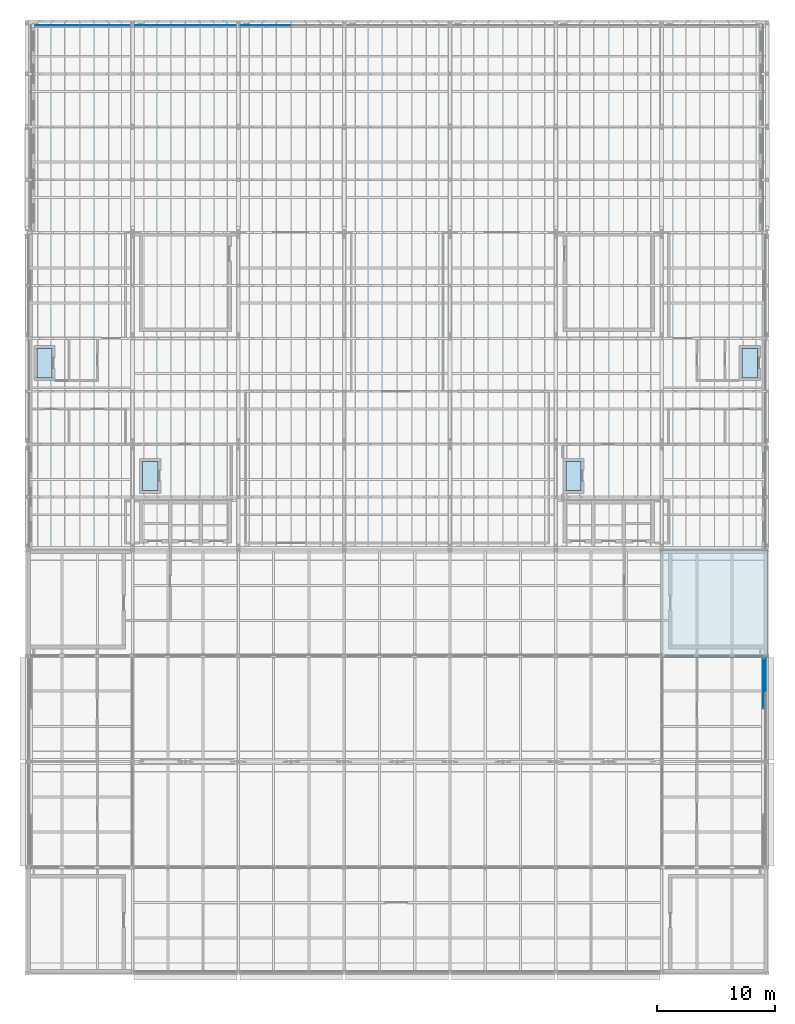
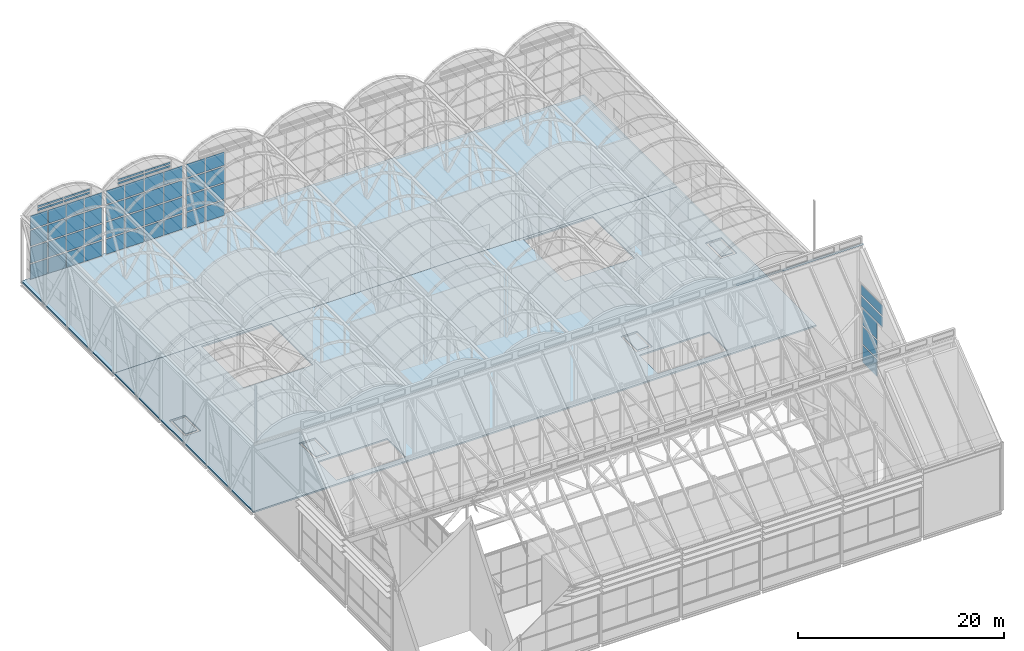
# One storey, part 121 of 144: 53 plates, 7 slabs, 7 elements without a shape of their own.
"""IFC4 building model written with IfcOpenShell, lengths in metres."""

from ifc_helpers import new_model, si_unit, direction, frame, origin, origin_2d, place, context, subcontext, project, spatial, polyline, rectangle, outline, extrude, material, layer, layer_set, type_object, element, aggregate, save


model = new_model("IFC4")

# Units and contexts
model_context = context("Model", 3, precision=1e-05, world=origin(), true_north=direction((0.0, 1.0)))
body_context = subcontext(model_context, "Body", "Model", "MODEL_VIEW")
ifc_project = project(units=[si_unit("LENGTHUNIT", "METRE"), si_unit("AREAUNIT", "SQUARE_METRE"), si_unit("VOLUMEUNIT", "CUBIC_METRE"), si_unit("PLANEANGLEUNIT", "RADIAN"), si_unit("MASSUNIT", "GRAM", prefix="KILO")], contexts=[model_context])

# Site, building, storey
site_placement = place(None, origin())
site = spatial("IfcSite", under=ifc_project, at=site_placement, CompositionType="ELEMENT")
building_placement = place(site_placement, origin())
building = spatial("IfcBuilding", under=site, at=building_placement, Name="Shorebreak Coast Museum", CompositionType="ELEMENT")
storey_placement = place(building_placement, frame((0.0, 0.0, 36.0)))
storey = spatial("IfcBuildingStorey", under=building, at=storey_placement, Name="L06", CompositionType="ELEMENT", Elevation=36.0)

# Curtain wall, plates
ifc_material_1 = material(Name="Aluminium", Category="aluminium")
ifc_layer_1 = layer(ifc_material_1, 0.14990234375)
ifc_layer_set_1 = layer_set([ifc_layer_1], Name="Aluminium")
curtain_wall_type_1 = type_object("IfcCurtainWallType", Name="Barrel end glazing", PredefinedType="NOTDEFINED", material=ifc_layer_set_1)
curtain_wall_1_placement = place(storey_placement, origin())
curtain_wall_1 = element("IfcCurtainWall", 1, at=curtain_wall_1_placement, inside=storey, type_object=curtain_wall_type_1, Name="Barrel end glazing L06 1", PredefinedType="NOTDEFINED")
ifc_material_2 = material(Name="Glass", Category="glass")
ifc_layer_2 = layer(ifc_material_2, 0.035888671875)
ifc_layer_set_2 = layer_set([ifc_layer_2], Name="Glass")
plate_type_1 = type_object("IfcPlateType", Name="Barrel glass panel 36", PredefinedType="CURTAIN_PANEL", material=ifc_layer_set_2)
plate_1_placement = place(storey_placement, frame((55.732177734375, 134.60009765625, 0.150146484375), z_axis=(0.0, 0.0, 1.0), x_axis=(1.0, 0.0, 0.0)))
plate_1 = element("IfcPlate", 2, at=plate_1_placement, type_object=plate_type_1, Name="CW7 panel 1.1", PredefinedType="CURTAIN_PANEL", context=body_context, shape_type="SweptSolid", body=[
    extrude(rectangle(XDim=1.944580078125, YDim=0.035888671875, at=origin_2d()), origin(), (0.0, 0.0, 1.0), 1.77490234375),
])
plate_2_placement = place(storey_placement, frame((55.732177734375, 134.60009765625, 2.074951171875), z_axis=(0.0, 0.0, 1.0), x_axis=(1.0, 0.0, 0.0)))
plate_2 = element("IfcPlate", 3, at=plate_2_placement, type_object=plate_type_1, Name="CW7 panel 1.2", PredefinedType="CURTAIN_PANEL", context=body_context, shape_type="SweptSolid", body=[
    extrude(rectangle(XDim=1.944580078125, YDim=0.035888671875, at=origin_2d()), origin(), (0.0, 0.0, 1.0), 1.85009765625),
])
plate_3_placement = place(storey_placement, frame((55.732177734375, 134.60009765625, 4.074951171875), z_axis=(0.0, 0.0, 1.0), x_axis=(1.0, 0.0, 0.0)))
plate_3 = element("IfcPlate", 4, at=plate_3_placement, type_object=plate_type_1, Name="CW7 panel 1.3", PredefinedType="CURTAIN_PANEL", context=body_context, shape_type="SweptSolid", body=[
    extrude(rectangle(XDim=1.944580078125, YDim=0.035888671875, at=origin_2d()), origin(), (0.0, 0.0, 1.0), 1.85009765625),
])
plate_4_placement = place(storey_placement, frame((55.732177734375, 134.60009765625, 6.0751953125), z_axis=(0.0, 0.0, 1.0), x_axis=(1.0, 0.0, 0.0)))
plate_4 = element("IfcPlate", 5, at=plate_4_placement, type_object=plate_type_1, Name="CW7 panel 1.4", PredefinedType="CURTAIN_PANEL", context=body_context, shape_type="SweptSolid", body=[
    extrude(rectangle(XDim=1.944580078125, YDim=0.035888671875, at=origin_2d()), origin(), (0.0, 0.0, 1.0), 1.574951171875),
])
plate_5_placement = place(storey_placement, frame((57.751708984375, 134.60009765625, 0.150146484375), z_axis=(0.0, 0.0, 1.0), x_axis=(1.0, 0.0, 0.0)))
plate_5 = element("IfcPlate", 6, at=plate_5_placement, type_object=plate_type_1, Name="CW7 panel 2.1", PredefinedType="CURTAIN_PANEL", context=body_context, shape_type="SweptSolid", body=[
    extrude(rectangle(XDim=1.974609375, YDim=0.035888671875, at=origin_2d()), origin(), (0.0, 0.0, 1.0), 1.77490234375),
])
plate_6_placement = place(storey_placement, frame((57.751708984375, 134.60009765625, 2.074951171875), z_axis=(0.0, 0.0, 1.0), x_axis=(1.0, 0.0, 0.0)))
plate_6 = element("IfcPlate", 7, at=plate_6_placement, type_object=plate_type_1, Name="CW7 panel 2.2", PredefinedType="CURTAIN_PANEL", context=body_context, shape_type="SweptSolid", body=[
    extrude(rectangle(XDim=1.974609375, YDim=0.035888671875, at=origin_2d()), origin(), (0.0, 0.0, 1.0), 1.85009765625),
])
plate_7_placement = place(storey_placement, frame((57.751708984375, 134.60009765625, 4.074951171875), z_axis=(0.0, 0.0, 1.0), x_axis=(1.0, 0.0, 0.0)))
plate_7 = element("IfcPlate", 8, at=plate_7_placement, type_object=plate_type_1, Name="CW7 panel 2.3", PredefinedType="CURTAIN_PANEL", context=body_context, shape_type="SweptSolid", body=[
    extrude(rectangle(XDim=1.974609375, YDim=0.035888671875, at=origin_2d()), origin(), (0.0, 0.0, 1.0), 1.85009765625),
])
plate_8_placement = place(storey_placement, frame((57.751708984375, 134.60009765625, 6.0751953125), z_axis=(0.0, 0.0, 1.0), x_axis=(1.0, 0.0, 0.0)))
plate_8 = element("IfcPlate", 9, at=plate_8_placement, type_object=plate_type_1, Name="CW7 panel 2.4", PredefinedType="CURTAIN_PANEL", context=body_context, shape_type="SweptSolid", body=[
    extrude(rectangle(XDim=1.974609375, YDim=0.035888671875, at=origin_2d()), origin(), (0.0, 0.0, 1.0), 1.574951171875),
])
plate_9_placement = place(storey_placement, frame((59.786376953125, 134.60009765625, 0.150146484375), z_axis=(0.0, 0.0, 1.0), x_axis=(1.0, 0.0, 0.0)))
plate_9 = element("IfcPlate", 10, at=plate_9_placement, type_object=plate_type_1, Name="CW7 panel 3.1", PredefinedType="CURTAIN_PANEL", context=body_context, shape_type="SweptSolid", body=[
    extrude(rectangle(XDim=1.974609375, YDim=0.035888671875, at=origin_2d()), origin(), (0.0, 0.0, 1.0), 1.77490234375),
])
plate_10_placement = place(storey_placement, frame((59.786376953125, 134.60009765625, 2.074951171875), z_axis=(0.0, 0.0, 1.0), x_axis=(1.0, 0.0, 0.0)))
plate_10 = element("IfcPlate", 11, at=plate_10_placement, type_object=plate_type_1, Name="CW7 panel 3.2", PredefinedType="CURTAIN_PANEL", context=body_context, shape_type="SweptSolid", body=[
    extrude(rectangle(XDim=1.974609375, YDim=0.035888671875, at=origin_2d()), origin(), (0.0, 0.0, 1.0), 1.85009765625),
])
plate_11_placement = place(storey_placement, frame((59.786376953125, 134.60009765625, 4.074951171875), z_axis=(0.0, 0.0, 1.0), x_axis=(1.0, 0.0, 0.0)))
plate_11 = element("IfcPlate", 12, at=plate_11_placement, type_object=plate_type_1, Name="CW7 panel 3.3", PredefinedType="CURTAIN_PANEL", context=body_context, shape_type="SweptSolid", body=[
    extrude(rectangle(XDim=1.974609375, YDim=0.035888671875, at=origin_2d()), origin(), (0.0, 0.0, 1.0), 1.85009765625),
])
plate_12_placement = place(storey_placement, frame((59.786376953125, 134.60009765625, 6.0751953125), z_axis=(0.0, 0.0, 1.0), x_axis=(1.0, 0.0, 0.0)))
plate_12 = element("IfcPlate", 13, at=plate_12_placement, type_object=plate_type_1, Name="CW7 panel 3.4", PredefinedType="CURTAIN_PANEL", context=body_context, shape_type="SweptSolid", body=[
    extrude(rectangle(XDim=1.974609375, YDim=0.035888671875, at=origin_2d()), origin(), (0.0, 0.0, 1.0), 1.574951171875),
])
plate_13_placement = place(storey_placement, frame((61.805908203125, 134.60009765625, 0.150146484375), z_axis=(0.0, 0.0, 1.0), x_axis=(1.0, 0.0, 0.0)))
plate_13 = element("IfcPlate", 14, at=plate_13_placement, type_object=plate_type_1, Name="CW7 panel 4.1", PredefinedType="CURTAIN_PANEL", context=body_context, shape_type="SweptSolid", body=[
    extrude(rectangle(XDim=1.944580078125, YDim=0.035888671875, at=origin_2d()), origin(), (0.0, 0.0, 1.0), 1.77490234375),
])
plate_14_placement = place(storey_placement, frame((61.805908203125, 134.60009765625, 2.074951171875), z_axis=(0.0, 0.0, 1.0), x_axis=(1.0, 0.0, 0.0)))
plate_14 = element("IfcPlate", 15, at=plate_14_placement, type_object=plate_type_1, Name="CW7 panel 4.2", PredefinedType="CURTAIN_PANEL", context=body_context, shape_type="SweptSolid", body=[
    extrude(rectangle(XDim=1.944580078125, YDim=0.035888671875, at=origin_2d()), origin(), (0.0, 0.0, 1.0), 1.85009765625),
])
plate_15_placement = place(storey_placement, frame((61.805908203125, 134.60009765625, 4.074951171875), z_axis=(0.0, 0.0, 1.0), x_axis=(1.0, 0.0, 0.0)))
plate_15 = element("IfcPlate", 16, at=plate_15_placement, type_object=plate_type_1, Name="CW7 panel 4.3", PredefinedType="CURTAIN_PANEL", context=body_context, shape_type="SweptSolid", body=[
    extrude(rectangle(XDim=1.944580078125, YDim=0.035888671875, at=origin_2d()), origin(), (0.0, 0.0, 1.0), 1.85009765625),
])
plate_16_placement = place(storey_placement, frame((61.805908203125, 134.60009765625, 6.0751953125), z_axis=(0.0, 0.0, 1.0), x_axis=(1.0, 0.0, 0.0)))
plate_16 = element("IfcPlate", 17, at=plate_16_placement, type_object=plate_type_1, Name="CW7 panel 4.4", PredefinedType="CURTAIN_PANEL", context=body_context, shape_type="SweptSolid", body=[
    extrude(rectangle(XDim=1.944580078125, YDim=0.035888671875, at=origin_2d()), origin(), (0.0, 0.0, 1.0), 1.574951171875),
])
aggregate(curtain_wall_1, [plate_1, plate_2, plate_3, plate_4, plate_5, plate_6, plate_7, plate_8, plate_9, plate_10, plate_11, plate_12, plate_13, plate_14, plate_15, plate_16])

curtain_wall_2_placement = place(storey_placement, origin())
curtain_wall_2 = element("IfcCurtainWall", 18, at=curtain_wall_2_placement, inside=storey, type_object=curtain_wall_type_1, Name="Barrel end glazing L06 2", PredefinedType="NOTDEFINED")
plate_17_placement = place(storey_placement, frame((64.261474609375, 134.60009765625, 0.150146484375), z_axis=(0.0, 0.0, 1.0), x_axis=(1.0, 0.0, 0.0)))
plate_17 = element("IfcPlate", 19, at=plate_17_placement, type_object=plate_type_1, Name="CW7 panel 1.1", PredefinedType="CURTAIN_PANEL", context=body_context, shape_type="SweptSolid", body=[
    extrude(rectangle(XDim=2.0791015625, YDim=0.035888671875, at=origin_2d()), origin(), (0.0, 0.0, 1.0), 1.77490234375),
])
plate_18_placement = place(storey_placement, frame((64.261474609375, 134.60009765625, 2.074951171875), z_axis=(0.0, 0.0, 1.0), x_axis=(1.0, 0.0, 0.0)))
plate_18 = element("IfcPlate", 20, at=plate_18_placement, type_object=plate_type_1, Name="CW7 panel 1.2", PredefinedType="CURTAIN_PANEL", context=body_context, shape_type="SweptSolid", body=[
    extrude(rectangle(XDim=2.0791015625, YDim=0.035888671875, at=origin_2d()), origin(), (0.0, 0.0, 1.0), 1.85009765625),
])
plate_19_placement = place(storey_placement, frame((64.261474609375, 134.60009765625, 4.074951171875), z_axis=(0.0, 0.0, 1.0), x_axis=(1.0, 0.0, 0.0)))
plate_19 = element("IfcPlate", 21, at=plate_19_placement, type_object=plate_type_1, Name="CW7 panel 1.3", PredefinedType="CURTAIN_PANEL", context=body_context, shape_type="SweptSolid", body=[
    extrude(rectangle(XDim=2.0791015625, YDim=0.035888671875, at=origin_2d()), origin(), (0.0, 0.0, 1.0), 1.85009765625),
])
plate_20_placement = place(storey_placement, frame((64.261474609375, 134.60009765625, 6.0751953125), z_axis=(0.0, 0.0, 1.0), x_axis=(1.0, 0.0, 0.0)))
plate_20 = element("IfcPlate", 22, at=plate_20_placement, type_object=plate_type_1, Name="CW7 panel 1.4", PredefinedType="CURTAIN_PANEL", context=body_context, shape_type="SweptSolid", body=[
    extrude(rectangle(XDim=2.0791015625, YDim=0.035888671875, at=origin_2d()), origin(), (0.0, 0.0, 1.0), 1.574951171875),
])
plate_21_placement = place(storey_placement, frame((66.41552734375, 134.60009765625, 0.150146484375), z_axis=(0.0, 0.0, 1.0), x_axis=(1.0, 0.0, 0.0)))
plate_21 = element("IfcPlate", 23, at=plate_21_placement, type_object=plate_type_1, Name="CW7 panel 2.1", PredefinedType="CURTAIN_PANEL", context=body_context, shape_type="SweptSolid", body=[
    extrude(rectangle(XDim=2.109130859375, YDim=0.035888671875, at=origin_2d()), origin(), (0.0, 0.0, 1.0), 1.77490234375),
])
plate_22_placement = place(storey_placement, frame((66.41552734375, 134.60009765625, 2.074951171875), z_axis=(0.0, 0.0, 1.0), x_axis=(1.0, 0.0, 0.0)))
plate_22 = element("IfcPlate", 24, at=plate_22_placement, type_object=plate_type_1, Name="CW7 panel 2.2", PredefinedType="CURTAIN_PANEL", context=body_context, shape_type="SweptSolid", body=[
    extrude(rectangle(XDim=2.109130859375, YDim=0.035888671875, at=origin_2d()), origin(), (0.0, 0.0, 1.0), 1.85009765625),
])
plate_23_placement = place(storey_placement, frame((66.41552734375, 134.60009765625, 4.074951171875), z_axis=(0.0, 0.0, 1.0), x_axis=(1.0, 0.0, 0.0)))
plate_23 = element("IfcPlate", 25, at=plate_23_placement, type_object=plate_type_1, Name="CW7 panel 2.3", PredefinedType="CURTAIN_PANEL", context=body_context, shape_type="SweptSolid", body=[
    extrude(rectangle(XDim=2.109130859375, YDim=0.035888671875, at=origin_2d()), origin(), (0.0, 0.0, 1.0), 1.85009765625),
])
plate_24_placement = place(storey_placement, frame((66.41552734375, 134.60009765625, 6.0751953125), z_axis=(0.0, 0.0, 1.0), x_axis=(1.0, 0.0, 0.0)))
plate_24 = element("IfcPlate", 26, at=plate_24_placement, type_object=plate_type_1, Name="CW7 panel 2.4", PredefinedType="CURTAIN_PANEL", context=body_context, shape_type="SweptSolid", body=[
    extrude(rectangle(XDim=2.109130859375, YDim=0.035888671875, at=origin_2d()), origin(), (0.0, 0.0, 1.0), 1.574951171875),
])
plate_25_placement = place(storey_placement, frame((68.58447265625, 134.60009765625, 0.150146484375), z_axis=(0.0, 0.0, 1.0), x_axis=(1.0, 0.0, 0.0)))
plate_25 = element("IfcPlate", 27, at=plate_25_placement, type_object=plate_type_1, Name="CW7 panel 3.1", PredefinedType="CURTAIN_PANEL", context=body_context, shape_type="SweptSolid", body=[
    extrude(rectangle(XDim=2.109130859375, YDim=0.035888671875, at=origin_2d()), origin(), (0.0, 0.0, 1.0), 1.77490234375),
])
plate_26_placement = place(storey_placement, frame((68.58447265625, 134.60009765625, 2.074951171875), z_axis=(0.0, 0.0, 1.0), x_axis=(1.0, 0.0, 0.0)))
plate_26 = element("IfcPlate", 28, at=plate_26_placement, type_object=plate_type_1, Name="CW7 panel 3.2", PredefinedType="CURTAIN_PANEL", context=body_context, shape_type="SweptSolid", body=[
    extrude(rectangle(XDim=2.109130859375, YDim=0.035888671875, at=origin_2d()), origin(), (0.0, 0.0, 1.0), 1.85009765625),
])
plate_27_placement = place(storey_placement, frame((68.58447265625, 134.60009765625, 4.074951171875), z_axis=(0.0, 0.0, 1.0), x_axis=(1.0, 0.0, 0.0)))
plate_27 = element("IfcPlate", 29, at=plate_27_placement, type_object=plate_type_1, Name="CW7 panel 3.3", PredefinedType="CURTAIN_PANEL", context=body_context, shape_type="SweptSolid", body=[
    extrude(rectangle(XDim=2.109130859375, YDim=0.035888671875, at=origin_2d()), origin(), (0.0, 0.0, 1.0), 1.85009765625),
])
plate_28_placement = place(storey_placement, frame((68.58447265625, 134.60009765625, 6.0751953125), z_axis=(0.0, 0.0, 1.0), x_axis=(1.0, 0.0, 0.0)))
plate_28 = element("IfcPlate", 30, at=plate_28_placement, type_object=plate_type_1, Name="CW7 panel 3.4", PredefinedType="CURTAIN_PANEL", context=body_context, shape_type="SweptSolid", body=[
    extrude(rectangle(XDim=2.109130859375, YDim=0.035888671875, at=origin_2d()), origin(), (0.0, 0.0, 1.0), 1.574951171875),
])
plate_29_placement = place(storey_placement, frame((70.738525390625, 134.60009765625, 0.150146484375), z_axis=(0.0, 0.0, 1.0), x_axis=(1.0, 0.0, 0.0)))
plate_29 = element("IfcPlate", 31, at=plate_29_placement, type_object=plate_type_1, Name="CW7 panel 4.1", PredefinedType="CURTAIN_PANEL", context=body_context, shape_type="SweptSolid", body=[
    extrude(rectangle(XDim=2.0791015625, YDim=0.035888671875, at=origin_2d()), origin(), (0.0, 0.0, 1.0), 1.77490234375),
])
plate_30_placement = place(storey_placement, frame((70.738525390625, 134.60009765625, 2.074951171875), z_axis=(0.0, 0.0, 1.0), x_axis=(1.0, 0.0, 0.0)))
plate_30 = element("IfcPlate", 32, at=plate_30_placement, type_object=plate_type_1, Name="CW7 panel 4.2", PredefinedType="CURTAIN_PANEL", context=body_context, shape_type="SweptSolid", body=[
    extrude(rectangle(XDim=2.0791015625, YDim=0.035888671875, at=origin_2d()), origin(), (0.0, 0.0, 1.0), 1.85009765625),
])
plate_31_placement = place(storey_placement, frame((70.738525390625, 134.60009765625, 4.074951171875), z_axis=(0.0, 0.0, 1.0), x_axis=(1.0, 0.0, 0.0)))
plate_31 = element("IfcPlate", 33, at=plate_31_placement, type_object=plate_type_1, Name="CW7 panel 4.3", PredefinedType="CURTAIN_PANEL", context=body_context, shape_type="SweptSolid", body=[
    extrude(rectangle(XDim=2.0791015625, YDim=0.035888671875, at=origin_2d()), origin(), (0.0, 0.0, 1.0), 1.85009765625),
])
plate_32_placement = place(storey_placement, frame((70.738525390625, 134.60009765625, 6.0751953125), z_axis=(0.0, 0.0, 1.0), x_axis=(1.0, 0.0, 0.0)))
plate_32 = element("IfcPlate", 34, at=plate_32_placement, type_object=plate_type_1, Name="CW7 panel 4.4", PredefinedType="CURTAIN_PANEL", context=body_context, shape_type="SweptSolid", body=[
    extrude(rectangle(XDim=2.0791015625, YDim=0.035888671875, at=origin_2d()), origin(), (0.0, 0.0, 1.0), 1.574951171875),
])
aggregate(curtain_wall_2, [plate_17, plate_18, plate_19, plate_20, plate_21, plate_22, plate_23, plate_24, plate_25, plate_26, plate_27, plate_28, plate_29, plate_30, plate_31, plate_32])

curtain_wall_3_placement = place(storey_placement, origin())
curtain_wall_3 = element("IfcCurtainWall", 35, at=curtain_wall_3_placement, inside=storey, type_object=curtain_wall_type_1, Name="Barrel end glazing L06 3", PredefinedType="NOTDEFINED")
plate_33_placement = place(storey_placement, frame((73.261474609375, 134.60009765625, 0.150146484375), z_axis=(0.0, 0.0, 1.0), x_axis=(1.0, 0.0, 0.0)))
plate_33 = element("IfcPlate", 36, at=plate_33_placement, type_object=plate_type_1, Name="CW7 panel 1.1", PredefinedType="CURTAIN_PANEL", context=body_context, shape_type="SweptSolid", body=[
    extrude(rectangle(XDim=2.0791015625, YDim=0.035888671875, at=origin_2d()), origin(), (0.0, 0.0, 1.0), 1.77490234375),
])
plate_34_placement = place(storey_placement, frame((73.261474609375, 134.60009765625, 2.074951171875), z_axis=(0.0, 0.0, 1.0), x_axis=(1.0, 0.0, 0.0)))
plate_34 = element("IfcPlate", 37, at=plate_34_placement, type_object=plate_type_1, Name="CW7 panel 1.2", PredefinedType="CURTAIN_PANEL", context=body_context, shape_type="SweptSolid", body=[
    extrude(rectangle(XDim=2.0791015625, YDim=0.035888671875, at=origin_2d()), origin(), (0.0, 0.0, 1.0), 1.85009765625),
])
plate_35_placement = place(storey_placement, frame((73.261474609375, 134.60009765625, 4.074951171875), z_axis=(0.0, 0.0, 1.0), x_axis=(1.0, 0.0, 0.0)))
plate_35 = element("IfcPlate", 38, at=plate_35_placement, type_object=plate_type_1, Name="CW7 panel 1.3", PredefinedType="CURTAIN_PANEL", context=body_context, shape_type="SweptSolid", body=[
    extrude(rectangle(XDim=2.0791015625, YDim=0.035888671875, at=origin_2d()), origin(), (0.0, 0.0, 1.0), 1.85009765625),
])
plate_36_placement = place(storey_placement, frame((73.261474609375, 134.60009765625, 6.0751953125), z_axis=(0.0, 0.0, 1.0), x_axis=(1.0, 0.0, 0.0)))
plate_36 = element("IfcPlate", 39, at=plate_36_placement, type_object=plate_type_1, Name="CW7 panel 1.4", PredefinedType="CURTAIN_PANEL", context=body_context, shape_type="SweptSolid", body=[
    extrude(rectangle(XDim=2.0791015625, YDim=0.035888671875, at=origin_2d()), origin(), (0.0, 0.0, 1.0), 1.574951171875),
])
plate_37_placement = place(storey_placement, frame((75.41552734375, 134.60009765625, 0.150146484375), z_axis=(0.0, 0.0, 1.0), x_axis=(1.0, 0.0, 0.0)))
plate_37 = element("IfcPlate", 40, at=plate_37_placement, type_object=plate_type_1, Name="CW7 panel 2.1", PredefinedType="CURTAIN_PANEL", context=body_context, shape_type="SweptSolid", body=[
    extrude(rectangle(XDim=2.10888671875, YDim=0.035888671875, at=origin_2d()), origin(), (0.0, 0.0, 1.0), 1.77490234375),
])
plate_38_placement = place(storey_placement, frame((75.41552734375, 134.60009765625, 2.074951171875), z_axis=(0.0, 0.0, 1.0), x_axis=(1.0, 0.0, 0.0)))
plate_38 = element("IfcPlate", 41, at=plate_38_placement, type_object=plate_type_1, Name="CW7 panel 2.2", PredefinedType="CURTAIN_PANEL", context=body_context, shape_type="SweptSolid", body=[
    extrude(rectangle(XDim=2.10888671875, YDim=0.035888671875, at=origin_2d()), origin(), (0.0, 0.0, 1.0), 1.85009765625),
])
plate_39_placement = place(storey_placement, frame((75.41552734375, 134.60009765625, 4.074951171875), z_axis=(0.0, 0.0, 1.0), x_axis=(1.0, 0.0, 0.0)))
plate_39 = element("IfcPlate", 42, at=plate_39_placement, type_object=plate_type_1, Name="CW7 panel 2.3", PredefinedType="CURTAIN_PANEL", context=body_context, shape_type="SweptSolid", body=[
    extrude(rectangle(XDim=2.10888671875, YDim=0.035888671875, at=origin_2d()), origin(), (0.0, 0.0, 1.0), 1.85009765625),
])
plate_40_placement = place(storey_placement, frame((75.41552734375, 134.60009765625, 6.0751953125), z_axis=(0.0, 0.0, 1.0), x_axis=(1.0, 0.0, 0.0)))
plate_40 = element("IfcPlate", 43, at=plate_40_placement, type_object=plate_type_1, Name="CW7 panel 2.4", PredefinedType="CURTAIN_PANEL", context=body_context, shape_type="SweptSolid", body=[
    extrude(rectangle(XDim=2.10888671875, YDim=0.035888671875, at=origin_2d()), origin(), (0.0, 0.0, 1.0), 1.574951171875),
])
aggregate(curtain_wall_3, [plate_33, plate_34, plate_35, plate_36, plate_37, plate_38, plate_39, plate_40])

# Slabs
ifc_material_3 = material(Name="Concrete N40 (40 MPa)", Category="concrete")
ifc_layer_3 = layer(ifc_material_3, 0.175048828125)
ifc_layer_set_3 = layer_set([ifc_layer_3], Name="Concrete N40 (40 MPa)")
slab_type_1 = type_object("IfcSlabType", Name="Floor slab 175 concrete N40", PredefinedType="FLOOR", material=ifc_layer_set_3)
slab_1_placement = place(storey_placement, frame((0.0, 0.0, -0.175048828125)))
element("IfcSlab", 44, at=slab_1_placement, inside=storey, type_object=slab_type_1, Name="Floor slab L06 north arm", PredefinedType="FLOOR", context=body_context, shape_type="SweptSolid", body=[
    extrude(outline(polyline([(117.0, 90.0), (117.0, 117.0), (54.0, 117.0), (54.0, 90.0), (117.0, 90.0)]), holes=[polyline([(107.39990234375, 90.60009765625), (99.60009765625, 90.60009765625), (99.60009765625, 94.199951171875), (107.39990234375, 94.199951171875), (107.39990234375, 90.60009765625)]), polyline([(63.60009765625, 90.60009765625), (63.60009765625, 94.199951171875), (71.39990234375, 94.199951171875), (71.39990234375, 90.60009765625), (63.60009765625, 90.60009765625)]), polyline([(99.60009765625, 97.800048828125), (101.39990234375, 97.800048828125), (101.39990234375, 94.800048828125), (99.60009765625, 94.800048828125), (99.60009765625, 97.800048828125)]), polyline([(65.39990234375, 97.800048828125), (65.39990234375, 94.800048828125), (63.60009765625, 94.800048828125), (63.60009765625, 97.800048828125), (65.39990234375, 97.800048828125)]), polyline([(56.39990234375, 104.39990234375), (54.60009765625, 104.39990234375), (54.60009765625, 107.39990234375), (56.39990234375, 107.39990234375), (56.39990234375, 104.39990234375)]), polyline([(114.60009765625, 104.39990234375), (114.60009765625, 107.39990234375), (116.39990234375, 107.39990234375), (116.39990234375, 104.39990234375), (114.60009765625, 104.39990234375)]), polyline([(63.60009765625, 116.699951171875), (71.39990234375, 116.699951171875), (71.39990234375, 108.60009765625), (63.60009765625, 108.60009765625), (63.60009765625, 116.699951171875)]), polyline([(107.39990234375, 116.699951171875), (107.39990234375, 108.60009765625), (99.60009765625, 108.60009765625), (99.60009765625, 116.699951171875), (107.39990234375, 116.699951171875)])]), origin(), (0.0, 0.0, 1.0), 0.175048828125),
])
slab_2_placement = place(storey_placement, frame((0.0, 0.0, -0.175048828125)))
element("IfcSlab", 45, at=slab_2_placement, inside=storey, type_object=slab_type_1, Name="Floor slab L06 gallery box", PredefinedType="FLOOR", context=body_context, shape_type="SweptSolid", body=[
    extrude(outline(polyline([(117.0, 117.0), (117.0, 135.0), (54.0, 135.0), (54.0, 117.0), (117.0, 117.0)])), origin(), (0.0, 0.0, 1.0), 0.175048828125),
])

# Curtain wall, plates
ifc_material_4 = material(Name="Aluminium", Category="aluminium")
ifc_layer_4 = layer(ifc_material_4, 0.175048828125)
ifc_layer_set_4 = layer_set([ifc_layer_4], Name="Aluminium")
curtain_wall_type_2 = type_object("IfcCurtainWallType", Name="Gable curtain wall", PredefinedType="NOTDEFINED", material=ifc_layer_set_4)
curtain_wall_4_placement = place(storey_placement, origin())
curtain_wall_4 = element("IfcCurtainWall", 46, at=curtain_wall_4_placement, inside=storey, type_object=curtain_wall_type_2, Name="Gable glazing FOLD-X-117-2", PredefinedType="NOTDEFINED")
ifc_material_5 = material(Name="Glass", Category="glass")
ifc_layer_5 = layer(ifc_material_5, 0.0400390625)
ifc_layer_set_5 = layer_set([ifc_layer_5], Name="Glass")
plate_type_2 = type_object("IfcPlateType", Name="Gable glass panel 40", PredefinedType="CURTAIN_PANEL", material=ifc_layer_set_5)
plate_41_placement = place(storey_placement, frame((116.66943359375, 78.651611328125, 7.97509765625), z_axis=(0.0, 0.0, 1.0), x_axis=(0.0, 1.0, 0.0)))
plate_41 = element("IfcPlate", 47, at=plate_41_placement, type_object=plate_type_2, Name="CW9 panel 1.1", PredefinedType="CURTAIN_PANEL", context=body_context, shape_type="SweptSolid", body=[
    extrude(rectangle(XDim=4.18310546875, YDim=0.0400390625, at=origin_2d()), origin(), (0.0, 0.0, 1.0), 1.1884765625),
])
plate_42_placement = place(storey_placement, frame((116.66943359375, 78.651611328125, 9.338623046875), z_axis=(0.0, 0.0, 1.0), x_axis=(0.0, 1.0, 0.0)))
plate_42 = element("IfcPlate", 48, at=plate_42_placement, type_object=plate_type_2, Name="CW9 panel 1.2", PredefinedType="CURTAIN_PANEL", context=body_context, shape_type="SweptSolid", body=[
    extrude(rectangle(XDim=4.18310546875, YDim=0.0400390625, at=origin_2d()), origin(), (0.0, 0.0, 1.0), 1.1884765625),
])
aggregate(curtain_wall_4, [plate_41, plate_42])

curtain_wall_5_placement = place(storey_placement, origin())
curtain_wall_5 = element("IfcCurtainWall", 49, at=curtain_wall_5_placement, inside=storey, type_object=curtain_wall_type_2, Name="Vault arch glazing V1", PredefinedType="NOTDEFINED")
plate_43_placement = place(storey_placement, frame((57.014892578125, 134.60009765625, 7.97509765625), z_axis=(0.0, 0.0, 1.0), x_axis=(1.0, 0.0, 0.0)))
plate_43 = element("IfcPlate", 50, at=plate_43_placement, type_object=plate_type_2, Name="CW9 panel 1.1", PredefinedType="CURTAIN_PANEL", context=body_context, shape_type="SweptSolid", body=[
    extrude(rectangle(XDim=2.909912109375, YDim=0.0400390625, at=origin_2d()), origin(), (0.0, 0.0, 1.0), 0.21240234375),
])
plate_44_placement = place(storey_placement, frame((57.014892578125, 134.60009765625, 8.362548828125), z_axis=(0.0, 0.0, 1.0), x_axis=(1.0, 0.0, 0.0)))
plate_44 = element("IfcPlate", 51, at=plate_44_placement, type_object=plate_type_2, Name="CW9 panel 1.2", PredefinedType="CURTAIN_PANEL", context=body_context, shape_type="SweptSolid", body=[
    extrude(rectangle(XDim=2.909912109375, YDim=0.0400390625, at=origin_2d()), origin(), (0.0, 0.0, 1.0), 0.21240234375),
])
plate_45_placement = place(storey_placement, frame((59.985107421875, 134.60009765625, 7.97509765625), z_axis=(0.0, 0.0, 1.0), x_axis=(1.0, 0.0, 0.0)))
plate_45 = element("IfcPlate", 52, at=plate_45_placement, type_object=plate_type_2, Name="CW9 panel 2.1", PredefinedType="CURTAIN_PANEL", context=body_context, shape_type="SweptSolid", body=[
    extrude(rectangle(XDim=2.909912109375, YDim=0.0400390625, at=origin_2d()), origin(), (0.0, 0.0, 1.0), 0.21240234375),
])
plate_46_placement = place(storey_placement, frame((59.985107421875, 134.60009765625, 8.362548828125), z_axis=(0.0, 0.0, 1.0), x_axis=(1.0, 0.0, 0.0)))
plate_46 = element("IfcPlate", 53, at=plate_46_placement, type_object=plate_type_2, Name="CW9 panel 2.2", PredefinedType="CURTAIN_PANEL", context=body_context, shape_type="SweptSolid", body=[
    extrude(rectangle(XDim=2.909912109375, YDim=0.0400390625, at=origin_2d()), origin(), (0.0, 0.0, 1.0), 0.21240234375),
])
aggregate(curtain_wall_5, [plate_43, plate_44, plate_45, plate_46])

curtain_wall_6_placement = place(storey_placement, origin())
curtain_wall_6 = element("IfcCurtainWall", 54, at=curtain_wall_6_placement, inside=storey, type_object=curtain_wall_type_2, Name="Vault arch glazing V2", PredefinedType="NOTDEFINED")
plate_47_placement = place(storey_placement, frame((66.014892578125, 134.60009765625, 7.97509765625), z_axis=(0.0, 0.0, 1.0), x_axis=(1.0, 0.0, 0.0)))
plate_47 = element("IfcPlate", 55, at=plate_47_placement, type_object=plate_type_2, Name="CW9 panel 1.1", PredefinedType="CURTAIN_PANEL", context=body_context, shape_type="SweptSolid", body=[
    extrude(rectangle(XDim=2.909912109375, YDim=0.0400390625, at=origin_2d()), origin(), (0.0, 0.0, 1.0), 0.21240234375),
])
plate_48_placement = place(storey_placement, frame((66.014892578125, 134.60009765625, 8.362548828125), z_axis=(0.0, 0.0, 1.0), x_axis=(1.0, 0.0, 0.0)))
plate_48 = element("IfcPlate", 56, at=plate_48_placement, type_object=plate_type_2, Name="CW9 panel 1.2", PredefinedType="CURTAIN_PANEL", context=body_context, shape_type="SweptSolid", body=[
    extrude(rectangle(XDim=2.909912109375, YDim=0.0400390625, at=origin_2d()), origin(), (0.0, 0.0, 1.0), 0.21240234375),
])
plate_49_placement = place(storey_placement, frame((68.985107421875, 134.60009765625, 7.97509765625), z_axis=(0.0, 0.0, 1.0), x_axis=(1.0, 0.0, 0.0)))
plate_49 = element("IfcPlate", 57, at=plate_49_placement, type_object=plate_type_2, Name="CW9 panel 2.1", PredefinedType="CURTAIN_PANEL", context=body_context, shape_type="SweptSolid", body=[
    extrude(rectangle(XDim=2.909912109375, YDim=0.0400390625, at=origin_2d()), origin(), (0.0, 0.0, 1.0), 0.21240234375),
])
plate_50_placement = place(storey_placement, frame((68.985107421875, 134.60009765625, 8.362548828125), z_axis=(0.0, 0.0, 1.0), x_axis=(1.0, 0.0, 0.0)))
plate_50 = element("IfcPlate", 58, at=plate_50_placement, type_object=plate_type_2, Name="CW9 panel 2.2", PredefinedType="CURTAIN_PANEL", context=body_context, shape_type="SweptSolid", body=[
    extrude(rectangle(XDim=2.909912109375, YDim=0.0400390625, at=origin_2d()), origin(), (0.0, 0.0, 1.0), 0.21240234375),
])
aggregate(curtain_wall_6, [plate_47, plate_48, plate_49, plate_50])

# Slabs
ifc_material_6 = material(Name="Concrete N40 (40 MPa)", Category="concrete")
ifc_layer_6 = layer(ifc_material_6, 0.10009765625)
ifc_layer_set_6 = layer_set([ifc_layer_6], Name="Concrete N40 (40 MPa)")
slab_type_2 = type_object("IfcSlabType", Name="Riser platform 100", PredefinedType="USERDEFINED", material=ifc_layer_set_6)
slab_3_placement = place(storey_placement, frame((0.0, 0.0, -0.10009765625)))
element("IfcSlab", 59, at=slab_3_placement, inside=storey, type_object=slab_type_2, Name="Riser platform R-WC-N1 L06", ObjectType="RISER PLATFORM", PredefinedType="USERDEFINED", context=body_context, shape_type="SweptSolid", body=[
    extrude(outline(polyline([(54.85009765625, 104.64990234375), (56.14990234375, 104.64990234375), (56.14990234375, 107.14990234375), (54.85009765625, 107.14990234375), (54.85009765625, 104.64990234375)])), origin(), (0.0, 0.0, 1.0), 0.10009765625),
])
slab_4_placement = place(storey_placement, frame((0.0, 0.0, -0.10009765625)))
element("IfcSlab", 60, at=slab_4_placement, inside=storey, type_object=slab_type_2, Name="Riser platform R-WC-N2 L06", ObjectType="RISER PLATFORM", PredefinedType="USERDEFINED", context=body_context, shape_type="SweptSolid", body=[
    extrude(outline(polyline([(114.85009765625, 104.64990234375), (116.14990234375, 104.64990234375), (116.14990234375, 107.14990234375), (114.85009765625, 107.14990234375), (114.85009765625, 104.64990234375)])), origin(), (0.0, 0.0, 1.0), 0.10009765625),
])
slab_5_placement = place(storey_placement, frame((0.0, 0.0, -0.10009765625)))
element("IfcSlab", 61, at=slab_5_placement, inside=storey, type_object=slab_type_2, Name="Riser platform R-LBW L06", ObjectType="RISER PLATFORM", PredefinedType="USERDEFINED", context=body_context, shape_type="SweptSolid", body=[
    extrude(outline(polyline([(63.85009765625, 95.050048828125), (65.14990234375, 95.050048828125), (65.14990234375, 97.550048828125), (63.85009765625, 97.550048828125), (63.85009765625, 95.050048828125)])), origin(), (0.0, 0.0, 1.0), 0.10009765625),
])
slab_6_placement = place(storey_placement, frame((0.0, 0.0, -0.10009765625)))
element("IfcSlab", 62, at=slab_6_placement, inside=storey, type_object=slab_type_2, Name="Riser platform R-LBE L06", ObjectType="RISER PLATFORM", PredefinedType="USERDEFINED", context=body_context, shape_type="SweptSolid", body=[
    extrude(outline(polyline([(99.85009765625, 95.050048828125), (101.14990234375, 95.050048828125), (101.14990234375, 97.550048828125), (99.85009765625, 97.550048828125), (99.85009765625, 95.050048828125)])), origin(), (0.0, 0.0, 1.0), 0.10009765625),
])
ifc_material_7 = material(Name="Concrete N50 (50 MPa)", Category="concrete")
ifc_layer_7 = layer(ifc_material_7, 0.199951171875)
ifc_layer_set_7 = layer_set([ifc_layer_7], Name="Concrete N50 (50 MPa)")
slab_type_3 = type_object("IfcSlabType", Name="Roof slab folded plate 200 concrete N50", PredefinedType="ROOF", material=ifc_layer_set_7)
slab_7_placement = place(storey_placement, frame((108.0, 81.0, 15.199951171875), z_axis=(0.0, 0.624692464322, 0.780870876022), x_axis=(1.0, 0.0, 0.0)))
element("IfcSlab", 63, at=slab_7_placement, inside=storey, type_object=slab_type_3, Name="Folded roof slab FOLD-X-P28", PredefinedType="ROOF", context=body_context, shape_type="SweptSolid", body=[
    extrude(outline(polyline([(0.0, 0.0), (9.0, 0.0), (9.0, 11.525593124754327), (0.0, 11.525593124754327), (0.0, 0.0)])), origin(), (0.0, 0.0, -1.0), 0.199951171875),
])

# Curtain wall, plates
ifc_material_8 = material(Name="Aluminium", Category="aluminium")
ifc_layer_8 = layer(ifc_material_8, 0.14990234375)
ifc_layer_set_8 = layer_set([ifc_layer_8], Name="Aluminium")
curtain_wall_type_3 = type_object("IfcCurtainWallType", Name="Storefront curtain wall", PredefinedType="NOTDEFINED", material=ifc_layer_set_8)
curtain_wall_7_placement = place(storey_placement, origin())
curtain_wall_7 = element("IfcCurtainWall", 64, at=curtain_wall_7_placement, inside=storey, type_object=curtain_wall_type_3, Name="Atrium Hall glazing L06 E 21", PredefinedType="NOTDEFINED")
ifc_material_9 = material(Name="Glass", Category="glass")
ifc_layer_9 = layer(ifc_material_9, 0.031982421875)
ifc_layer_set_9 = layer_set([ifc_layer_9], Name="Glass")
plate_type_3 = type_object("IfcPlateType", Name="Storefront glass panel 32", PredefinedType="CURTAIN_PANEL", material=ifc_layer_set_9)
plate_51_placement = place(storey_placement, frame((116.85009765625, 79.392578125, 1.25), z_axis=(0.0, 0.0, 1.0), x_axis=(0.0, 1.0, 0.0)))
plate_51 = element("IfcPlate", 65, at=plate_51_placement, type_object=plate_type_3, Name="CW5 panel 3.1", PredefinedType="CURTAIN_PANEL", context=body_context, shape_type="SweptSolid", body=[
    extrude(rectangle(XDim=2.8369140625, YDim=0.031982421875, at=origin_2d()), origin(), (0.0, 0.0, 1.0), 2.00830078125),
])
plate_52_placement = place(storey_placement, frame((116.85009765625, 79.392578125, 3.408203125), z_axis=(0.0, 0.0, 1.0), x_axis=(0.0, 1.0, 0.0)))
plate_52 = element("IfcPlate", 66, at=plate_52_placement, type_object=plate_type_3, Name="CW5 panel 3.2", PredefinedType="CURTAIN_PANEL", context=body_context, shape_type="SweptSolid", body=[
    extrude(rectangle(XDim=2.8369140625, YDim=0.031982421875, at=origin_2d()), origin(), (0.0, 0.0, 1.0), 2.08349609375),
])
plate_53_placement = place(storey_placement, frame((116.85009765625, 79.392578125, 5.6416015625), z_axis=(0.0, 0.0, 1.0), x_axis=(0.0, 1.0, 0.0)))
plate_53 = element("IfcPlate", 67, at=plate_53_placement, type_object=plate_type_3, Name="CW5 panel 3.3", PredefinedType="CURTAIN_PANEL", context=body_context, shape_type="SweptSolid", body=[
    extrude(rectangle(XDim=2.8369140625, YDim=0.031982421875, at=origin_2d()), origin(), (0.0, 0.0, 1.0), 2.00830078125),
])
aggregate(curtain_wall_7, [plate_51, plate_52, plate_53])

save(model, "model.ifc")
